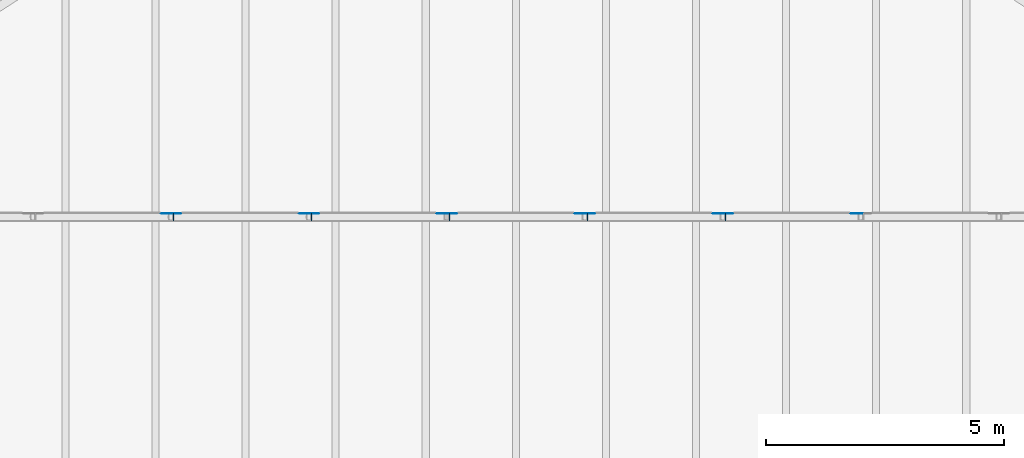
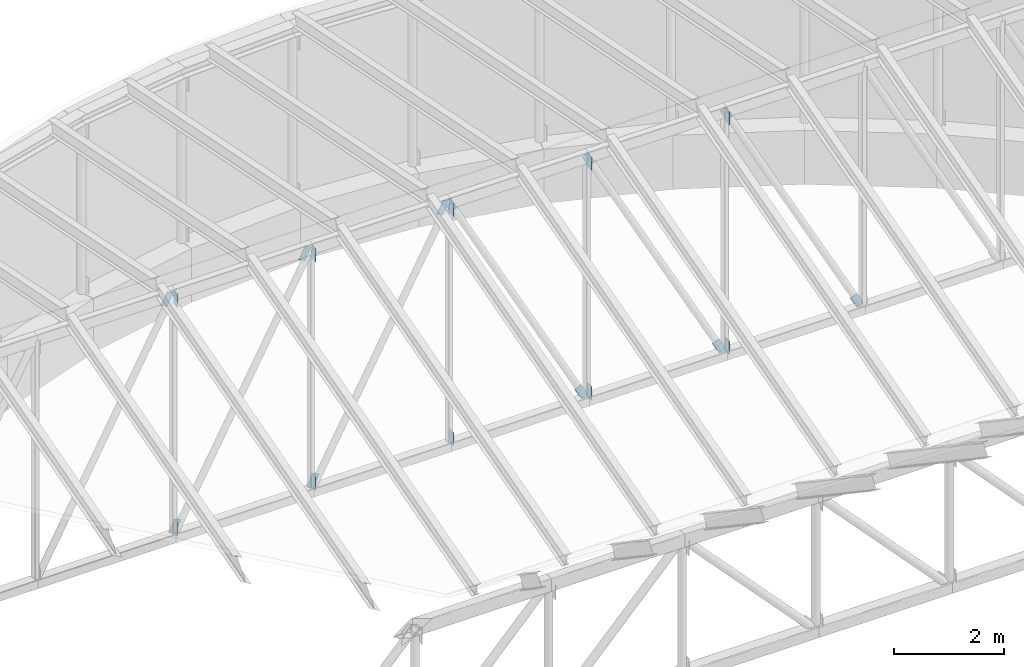
# One storey, part 63 of 68: 21 discrete accessories.
"""IFC4 building model written with IfcOpenShell, lengths in metres."""

from ifc_helpers import new_model, si_unit, direction, frame, origin, origin_2d, place, context, subcontext, project, spatial, rectangle, extrude, material, material_profile, profile_set, type_object, element, save


model = new_model("IFC4")

# Units and contexts
model_context = context("Model", 3, precision=1e-05, world=origin(), true_north=direction((0.0, 1.0)))
body_context = subcontext(model_context, "Body", "Model", "MODEL_VIEW")
ifc_project = project(units=[si_unit("LENGTHUNIT", "METRE"), si_unit("AREAUNIT", "SQUARE_METRE"), si_unit("VOLUMEUNIT", "CUBIC_METRE"), si_unit("PLANEANGLEUNIT", "RADIAN"), si_unit("MASSUNIT", "GRAM", prefix="KILO")], contexts=[model_context])

# Site, building, storey
site_placement = place(None, origin())
site = spatial("IfcSite", under=ifc_project, at=site_placement, CompositionType="ELEMENT")
building_placement = place(site_placement, origin())
building = spatial("IfcBuilding", under=site, at=building_placement, Name="Larchfold Concert Hall", CompositionType="ELEMENT")
storey_placement = place(building_placement, frame((0.0, 0.0, 28.800048828125)))
storey = spatial("IfcBuildingStorey", under=building, at=storey_placement, Name="L06", CompositionType="ELEMENT", Elevation=28.800048828125)

# Discrete accessories
ifc_material = material(Name="Steel S355 galvanised bracket", Category="steel")
ifc_material_profile = material_profile(ifc_material, rectangle(XDim=0.011962890625, YDim=0.14990234375, at=origin_2d()))
ifc_profile_set = profile_set([ifc_material_profile], Name="Steel S355 galvanised bracket")
discrete_accessory_type = type_object("IfcDiscreteAccessoryType", Name="Gusset plate 12x150", PredefinedType="BRACKET", material=ifc_profile_set)
for number, where, z_axis, x_axis, name in (
    (1, (35.41748046875, 110.39990234375, 5.39990234375), (0.0, 0.0, -1.0), (1.0, 0.0, 0.0), "Gusset plate GP0513"),
    (2, (35.41748046875, 110.39990234375, 0.320068359375), (0.0, 0.0, -1.0), (1.0, 0.0, 0.0), "Gusset plate GP0514"),
    (3, (38.31298828125, 110.39990234375, 5.39990234375), (0.0, 0.0, -1.0), (1.0, 0.0, 0.0), "Gusset plate GP0515"),
    (4, (38.31298828125, 110.39990234375, 0.320068359375), (0.0, 0.0, -1.0), (1.0, 0.0, 0.0), "Gusset plate GP0516"),
    (5, (41.208251953125, 110.39990234375, 5.39990234375), (0.0, 0.0, -1.0), (1.0, 0.0, 0.0), "Gusset plate GP0517"),
    (6, (41.208251953125, 110.39990234375, 0.300048828125), (0.0, 0.0, -1.0), (1.0, 0.0, 0.0), "Gusset plate GP0518"),
    (7, (44.103759765625, 110.39990234375, 5.39990234375), (0.0, 0.0, -1.0), (1.0, 0.0, 0.0), "Gusset plate GP0519"),
    (8, (44.103759765625, 110.39990234375, 0.300048828125), (0.0, 0.0, -1.0), (1.0, 0.0, 0.0), "Gusset plate GP0520"),
    (9, (46.9990234375, 110.39990234375, 5.39990234375), (0.0, 0.0, -1.0), (1.0, 0.0, 0.0), "Gusset plate GP0521"),
    (10, (46.9990234375, 110.39990234375, 0.300048828125), (0.0, 0.0, -1.0), (1.0, 0.0, 0.0), "Gusset plate GP0522"),
    (11, (35.21044921875, 110.475830078125, 5.117919921875), (0.47210846789, 0.0, 0.881540466766), (0.0, 1.0, 0.0), "Gusset plate GP0536"),
    (12, (35.37109375, 110.475830078125, 0.017578125), (0.47210846789, 0.0, 0.881540466766), (0.0, 1.0, 0.0), "Gusset plate GP0537"),
    (13, (38.10595703125, 110.475830078125, 5.117919921875), (0.47210846789, 0.0, 0.881540466766), (0.0, 1.0, 0.0), "Gusset plate GP0538"),
    (14, (38.2666015625, 110.475830078125, 0.017578125), (0.47210846789, 0.0, 0.881540466766), (0.0, 1.0, 0.0), "Gusset plate GP0539"),
    (15, (41.001220703125, 110.475830078125, 5.117919921875), (0.47210846789, 0.0, 0.881540466766), (0.0, 1.0, 0.0), "Gusset plate GP0540"),
    (16, (41.161865234375, 110.475830078125, 5.38232421875), (0.47210846789, 0.0, -0.881540466766), (0.0, 1.0, 0.0), "Gusset plate GP0541"),
    (17, (43.896728515625, 110.475830078125, 0.281982421875), (0.47210846789, 0.0, -0.881540466766), (0.0, 1.0, 0.0), "Gusset plate GP0542"),
    (18, (44.057373046875, 110.475830078125, 5.38232421875), (0.47210846789, 0.0, -0.881540466766), (0.0, 1.0, 0.0), "Gusset plate GP0543"),
    (19, (46.7919921875, 110.475830078125, 0.281982421875), (0.47210846789, 0.0, -0.881540466766), (0.0, 1.0, 0.0), "Gusset plate GP0544"),
    (20, (46.95263671875, 110.475830078125, 5.38232421875), (0.47210846789, 0.0, -0.881540466766), (0.0, 1.0, 0.0), "Gusset plate GP0545"),
    (21, (49.6875, 110.475830078125, 0.281982421875), (0.47210846789, 0.0, -0.881540466766), (0.0, 1.0, 0.0), "Gusset plate GP0546"),
):
    element("IfcDiscreteAccessory", number, at=place(storey_placement, frame(where, z_axis=z_axis, x_axis=x_axis)), inside=storey, type_object=discrete_accessory_type, Name=name, PredefinedType="BRACKET", context=body_context, shape_type="SweptSolid", body=[
        extrude(rectangle(XDim=0.011962890625, YDim=0.14990234375, at=origin_2d()), origin(), (0.0, 0.0, 1.0), 0.300048828125),
    ])

save(model, "model.ifc")
